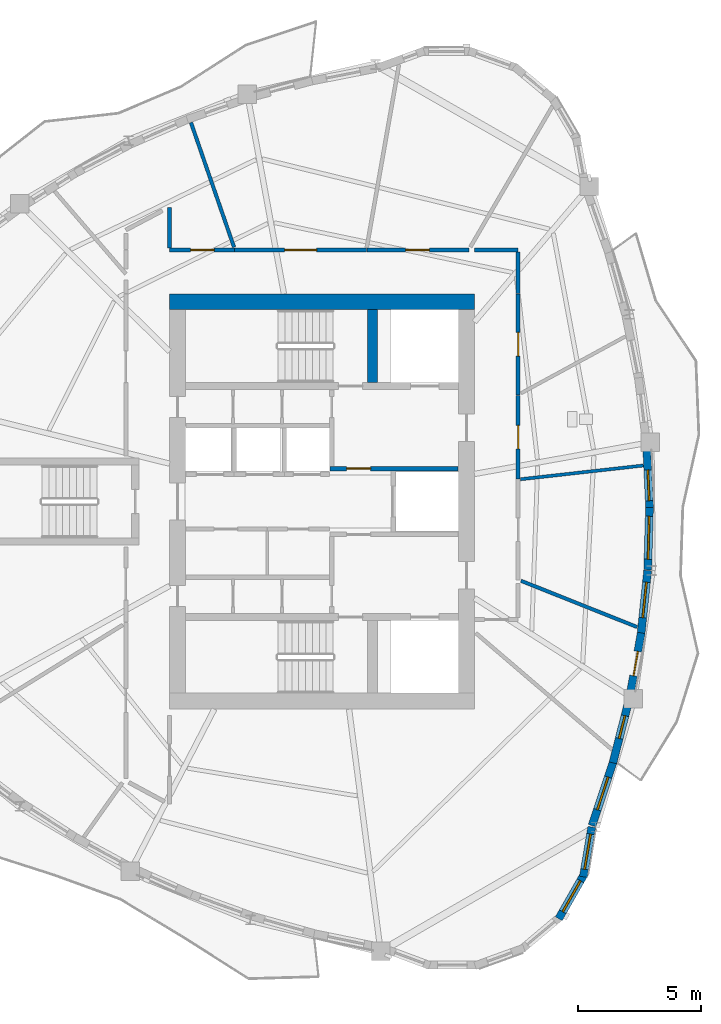
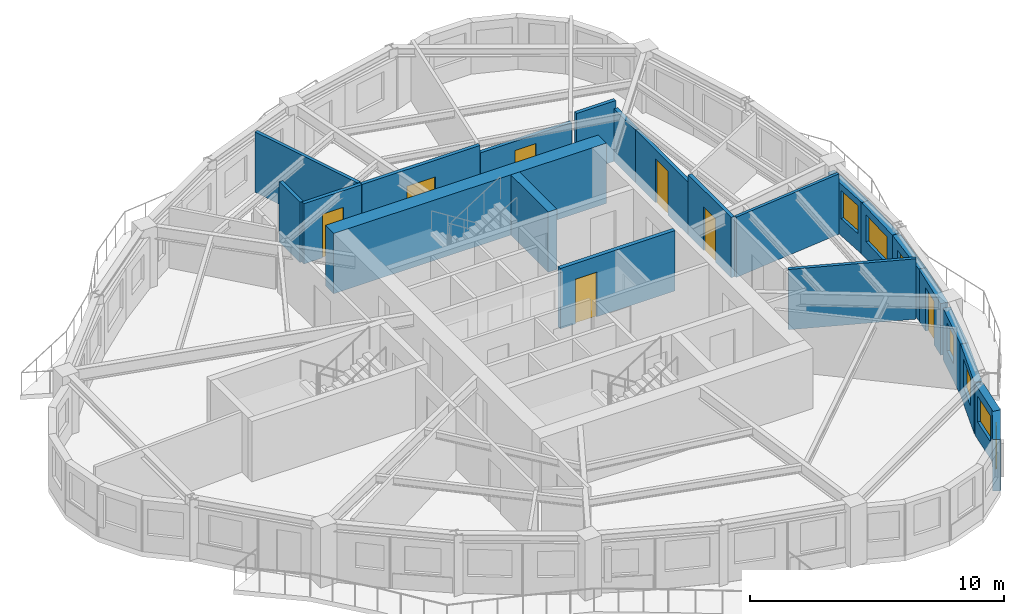
# One storey, part 6 of 12: 22 walls, 7 doors, 7 windows, 14 openings.
"""IFC4 building model written with IfcOpenShell, lengths in metres."""

from ifc_helpers import new_model, si_unit, direction, frame, frame_2d, origin, place, context, subcontext, project, spatial, rectangle, extrude, source, transform, mapped, material, layer, layer_set, type_object, element, fill, save


model = new_model("IFC4")

# Units and contexts
model_context = context("Model", 3, precision=1e-05, world=origin(), true_north=direction((0.0, 1.0)))
body_context = subcontext(model_context, "Body", "Model", "MODEL_VIEW")
ifc_project = project(units=[si_unit("LENGTHUNIT", "METRE"), si_unit("AREAUNIT", "SQUARE_METRE"), si_unit("VOLUMEUNIT", "CUBIC_METRE"), si_unit("PLANEANGLEUNIT", "RADIAN"), si_unit("MASSUNIT", "GRAM", prefix="KILO")], contexts=[model_context])

# Site, building, storey
site_placement = place(None, origin())
site = spatial("IfcSite", under=ifc_project, at=site_placement, CompositionType="ELEMENT")
building_placement = place(site_placement, origin())
building = spatial("IfcBuilding", under=site, at=building_placement, Name="Qafzar Sky-Pleat Residences", CompositionType="ELEMENT")
storey_placement = place(building_placement, frame((0.0, 0.0, 187.39990234375)))
storey = spatial("IfcBuildingStorey", under=building, at=storey_placement, Name="L56", CompositionType="ELEMENT", Elevation=187.39990234375)

# Wall, opening, door
ifc_material_1 = material(Name="Acoustic gypsum plasterboard partition", Category="gypsum")
ifc_layer_1 = layer(ifc_material_1, 0.159912109375)
ifc_layer_set_1 = layer_set([ifc_layer_1], Name="Acoustic gypsum plasterboard partition")
wall_type_1 = type_object("IfcWallType", Name="PART-COR-160", PredefinedType="PARTITIONING", material=ifc_layer_set_1)
wall_1_placement = place(storey_placement, frame((26.7958984375, 36.22998046875, 0.0), z_axis=(0.0, 0.0, 1.0), x_axis=(1.0, 0.0, 0.0)))
wall_1 = element("IfcWall", 1, at=wall_1_placement, inside=storey, type_object=wall_type_1, Name="L56 Partition Wall PART-L56-PW-003", PredefinedType="PARTITIONING", context=body_context, shape_type="SweptSolid", body=[
    extrude(rectangle(XDim=5.37109375, YDim=0.159912109375, at=frame_2d((2.685546875, 0.0))), origin(), (0.0, 0.0, 1.0), 2.900146484375),
])
opening_1_placement = place(wall_1_placement, frame((2.035888671875, 0.0, 0.0)))
opening_1 = element("IfcOpeningElement", 2, at=opening_1_placement, cuts=wall_1, Name="Opening ID-05", PredefinedType="OPENING", context=body_context, shape_type="SweptSolid", body=[
    extrude(rectangle(XDim=1.300048828125, YDim=2.10009765625, at=frame_2d((0.64990234375, 1.050048828125))), frame((0.0, 0.08984375, 0.0), z_axis=(0.0, -1.0, 0.0), x_axis=(1.0, 0.0, 0.0)), (0.0, 0.0, 1.0), 0.179931640625),
])
ifc_material_2 = material(Name="Timber-faced fire door", Category="wood")
door_type_1 = type_object("IfcDoorType", Name="DR-LNG-1300", OperationType="DOUBLE_DOOR_SINGLE_SWING", PredefinedType="DOOR", material=ifc_material_2)
shared_shape_1 = source(origin(), body_context, "Body", "SweptSolid", [
    extrude(rectangle(XDim=1.300048828125, YDim=2.10009765625, at=frame_2d((0.64990234375, 1.050048828125))), frame((0.0, 0.02490234375, 0.0), z_axis=(0.0, -1.0, 0.0), x_axis=(1.0, 0.0, 0.0)), (0.0, 0.0, 1.0), 0.050048828125),
])
door_1_placement = place(opening_1_placement, origin())
door_1 = element("IfcDoor", 3, at=door_1_placement, inside=storey, type_object=door_type_1, Name="L56 Graduate Lecture Room Door", OperationType="DOUBLE_DOOR_SINGLE_SWING", OverallHeight=2.10009765625, OverallWidth=1.300048828125, PredefinedType="DOOR", context=body_context, shape_type="MappedRepresentation", body=[
    mapped(shared_shape_1, transform((0.0, 0.0, 0.0), x_axis=(1.0, 0.0, 0.0), y_axis=(0.0, 1.0, 0.0), z_axis=(0.0, 0.0, 1.0), scale=1.0)),
])
fill(opening_1, door_1)

wall_2_placement = place(storey_placement, frame((32.181884765625, 36.22998046875, 0.0), z_axis=(0.0, 0.0, 1.0), x_axis=(1.0, 0.0, 0.0)))
wall_2 = element("IfcWall", 4, at=wall_2_placement, inside=storey, type_object=wall_type_1, Name="L56 Partition Wall PART-L56-PW-004", PredefinedType="PARTITIONING", context=body_context, shape_type="SweptSolid", body=[
    extrude(rectangle(XDim=4.149169921875, YDim=0.159912109375, at=frame_2d((2.07470703125, 0.0))), origin(), (0.0, 0.0, 1.0), 2.5380859375),
])
opening_2_placement = place(wall_2_placement, frame((1.571044921875, 0.0, 0.0)))
opening_2 = element("IfcOpeningElement", 5, at=opening_2_placement, cuts=wall_2, Name="Opening ID-06", PredefinedType="OPENING", context=body_context, shape_type="SweptSolid", body=[
    extrude(rectangle(XDim=0.9599609375, YDim=2.10009765625, at=frame_2d((0.47998046875, 1.050048828125))), frame((0.0, 0.08984375, 0.0), z_axis=(0.0, -1.0, 0.0), x_axis=(1.0, 0.0, 0.0)), (0.0, 0.0, 1.0), 0.179931640625),
])
door_type_2 = type_object("IfcDoorType", Name="DR-STD-960", OperationType="NOTDEFINED", PredefinedType="DOOR", material=ifc_material_2)
shared_shape_2 = source(origin(), body_context, "Body", "SweptSolid", [
    extrude(rectangle(XDim=0.9599609375, YDim=2.10009765625, at=frame_2d((0.47998046875, 1.050048828125))), frame((0.0, 0.02490234375, 0.0), z_axis=(0.0, -1.0, 0.0), x_axis=(1.0, 0.0, 0.0)), (0.0, 0.0, 1.0), 0.050048828125),
])
door_2_placement = place(opening_2_placement, origin())
door_2 = element("IfcDoor", 6, at=door_2_placement, inside=storey, type_object=door_type_2, Name="L56 Scholar Co-Working Workspace Door", OperationType="SINGLE_SWING_LEFT", OverallHeight=2.10009765625, OverallWidth=0.9599609375, PredefinedType="DOOR", context=body_context, shape_type="MappedRepresentation", body=[
    mapped(shared_shape_2, transform((0.0, 0.0, 0.0), x_axis=(1.0, 0.0, 0.0), y_axis=(0.0, 1.0, 0.0), z_axis=(0.0, 0.0, 1.0), scale=1.0)),
])
fill(opening_2, door_2)

wall_3_placement = place(storey_placement, frame((38.330078125, 34.449951171875, 0.0), z_axis=(0.0, 0.0, 1.0), x_axis=(0.0, -1.0, 0.0)))
wall_3 = element("IfcWall", 7, at=wall_3_placement, inside=storey, type_object=wall_type_1, Name="L56 Partition Wall PART-L56-PW-005", PredefinedType="PARTITIONING", context=body_context, shape_type="SweptSolid", body=[
    extrude(rectangle(XDim=4.1259765625, YDim=0.159912109375, at=frame_2d((2.06298828125, 0.0))), origin(), (0.0, 0.0, 1.0), 2.5380859375),
])
opening_3_placement = place(wall_3_placement, frame((1.574462890625, 0.0, 0.0)))
opening_3 = element("IfcOpeningElement", 8, at=opening_3_placement, cuts=wall_3, Name="Opening ID-06", PredefinedType="OPENING", context=body_context, shape_type="SweptSolid", body=[
    extrude(rectangle(XDim=0.9599609375, YDim=2.10009765625, at=frame_2d((0.47998046875, 1.050048828125))), frame((0.0, 0.08984375, 0.0), z_axis=(0.0, -1.0, 0.0), x_axis=(1.0, 0.0, 0.0)), (0.0, 0.0, 1.0), 0.179931640625),
])
door_3_placement = place(opening_3_placement, origin())
door_3 = element("IfcDoor", 9, at=door_3_placement, inside=storey, type_object=door_type_2, Name="L56 Faculty Research Office Door", OperationType="SINGLE_SWING_RIGHT", OverallHeight=2.10009765625, OverallWidth=0.9599609375, PredefinedType="DOOR", context=body_context, shape_type="MappedRepresentation", body=[
    mapped(shared_shape_2, transform((0.0, 0.0, 0.0), x_axis=(1.0, 0.0, 0.0), y_axis=(0.0, 1.0, 0.0), z_axis=(0.0, 0.0, 1.0), scale=1.0)),
])
fill(opening_3, door_3)

wall_4_placement = place(storey_placement, frame((38.330078125, 30.30908203125, 0.0), z_axis=(0.0, 0.0, 1.0), x_axis=(0.0, -1.0, 0.0)))
wall_4 = element("IfcWall", 10, at=wall_4_placement, inside=storey, type_object=wall_type_1, Name="L56 Partition Wall PART-L56-PW-008", PredefinedType="PARTITIONING", context=body_context, shape_type="SweptSolid", body=[
    extrude(rectangle(XDim=3.385009765625, YDim=0.159912109375, at=frame_2d((1.6923828125, 0.0))), origin(), (0.0, 0.0, 1.0), 2.900146484375),
])
opening_4_placement = place(wall_4_placement, frame((1.216552734375, 0.0, 0.0)))
opening_4 = element("IfcOpeningElement", 11, at=opening_4_placement, cuts=wall_4, Name="Opening ID-08", PredefinedType="OPENING", context=body_context, shape_type="SweptSolid", body=[
    extrude(rectangle(XDim=0.949951171875, YDim=2.10009765625, at=frame_2d((0.47509765625, 1.050048828125))), frame((0.0, 0.08984375, 0.0), z_axis=(0.0, -1.0, 0.0), x_axis=(1.0, 0.0, 0.0)), (0.0, 0.0, 1.0), 0.179931640625),
])
door_type_3 = type_object("IfcDoorType", Name="DR-AWC-950", OperationType="NOTDEFINED", PredefinedType="DOOR", material=ifc_material_2)
shared_shape_3 = source(origin(), body_context, "Body", "SweptSolid", [
    extrude(rectangle(XDim=0.949951171875, YDim=2.10009765625, at=frame_2d((0.47509765625, 1.050048828125))), frame((0.0, 0.02490234375, 0.0), z_axis=(0.0, -1.0, 0.0), x_axis=(1.0, 0.0, 0.0)), (0.0, 0.0, 1.0), 0.050048828125),
])
door_4_placement = place(opening_4_placement, origin())
door_4 = element("IfcDoor", 12, at=door_4_placement, inside=storey, type_object=door_type_3, Name="L56 Accessible Shared Washroom Door", OperationType="SINGLE_SWING_RIGHT", OverallHeight=2.10009765625, OverallWidth=0.949951171875, PredefinedType="DOOR", context=body_context, shape_type="MappedRepresentation", body=[
    mapped(shared_shape_3, transform((0.0, 0.0, 0.0), x_axis=(1.0, 0.0, 0.0), y_axis=(0.0, 1.0, 0.0), z_axis=(0.0, 0.0, 1.0), scale=1.0)),
])
fill(opening_4, door_4)

wall_5_placement = place(storey_placement, frame((24.14990234375, 36.22998046875, 0.0), z_axis=(0.0, 0.0, 1.0), x_axis=(1.0, 0.0, 0.0)))
wall_5 = element("IfcWall", 13, at=wall_5_placement, inside=storey, type_object=wall_type_1, Name="L56 Partition Wall PART-L56-PW-010", PredefinedType="PARTITIONING", context=body_context, shape_type="SweptSolid", body=[
    extrude(rectangle(XDim=2.631103515625, YDim=0.159912109375, at=frame_2d((1.3154296875, 0.0))), origin(), (0.0, 0.0, 1.0), 2.900146484375),
])
opening_5_placement = place(wall_5_placement, frame((0.85107421875, 0.0, 0.0)))
opening_5 = element("IfcOpeningElement", 14, at=opening_5_placement, cuts=wall_5, Name="Opening ID-06", PredefinedType="OPENING", context=body_context, shape_type="SweptSolid", body=[
    extrude(rectangle(XDim=0.9599609375, YDim=2.10009765625, at=frame_2d((0.47998046875, 1.050048828125))), frame((0.0, 0.08984375, 0.0), z_axis=(0.0, -1.0, 0.0), x_axis=(1.0, 0.0, 0.0)), (0.0, 0.0, 1.0), 0.179931640625),
])
door_5_placement = place(opening_5_placement, origin())
door_5 = element("IfcDoor", 15, at=door_5_placement, inside=storey, type_object=door_type_2, Name="L56 Wellness Yoga Studio Door", OperationType="SINGLE_SWING_LEFT", OverallHeight=2.10009765625, OverallWidth=0.9599609375, PredefinedType="DOOR", context=body_context, shape_type="MappedRepresentation", body=[
    mapped(shared_shape_2, transform((0.0, 0.0, 0.0), x_axis=(1.0, 0.0, 0.0), y_axis=(0.0, 1.0, 0.0), z_axis=(0.0, 0.0, 1.0), scale=1.0)),
])
fill(opening_5, door_5)

# Walls
wall_6_placement = place(storey_placement, frame((36.550048828125, 36.22998046875, 0.0), z_axis=(0.0, 0.0, 1.0), x_axis=(1.0, 0.0, 0.0)))
element("IfcWall", 16, at=wall_6_placement, inside=storey, type_object=wall_type_1, Name="L56 Partition Wall PART-L56-PW-024", PredefinedType="PARTITIONING", context=body_context, shape_type="SweptSolid", body=[
    extrude(rectangle(XDim=1.780029296875, YDim=0.159912109375, at=frame_2d((0.89013671875, 0.0))), origin(), (0.0, 0.0, 1.0), 2.900146484375),
])
wall_7_placement = place(storey_placement, frame((38.330078125, 34.465087890625, 0.0), z_axis=(0.0, 0.0, 1.0), x_axis=(0.0, 1.0, 0.0)))
element("IfcWall", 17, at=wall_7_placement, inside=storey, type_object=wall_type_1, Name="L56 Partition Wall PART-L56-PW-025", PredefinedType="PARTITIONING", context=body_context, shape_type="SweptSolid", body=[
    extrude(rectangle(XDim=1.677001953125, YDim=0.159912109375, at=frame_2d((0.83837890625, 0.0))), origin(), (0.0, 0.0, 1.0), 2.5380859375),
])
wall_8_placement = place(storey_placement, frame((24.14990234375, 36.318115234375, 0.0), z_axis=(0.0, 0.0, 1.0), x_axis=(0.0, 1.0, 0.0)))
element("IfcWall", 18, at=wall_8_placement, inside=storey, type_object=wall_type_1, Name="L56 Partition Wall PART-L56-PW-026", PredefinedType="PARTITIONING", context=body_context, shape_type="SweptSolid", body=[
    extrude(rectangle(XDim=1.637939453125, YDim=0.159912109375, at=frame_2d((0.81884765625, 0.0))), origin(), (0.0, 0.0, 1.0), 2.900146484375),
])

# Wall, opening, door
ifc_material_3 = material(Name="Concrete blockwork partition", Category="masonry")
ifc_layer_2 = layer(ifc_material_3, 0.179931640625)
ifc_layer_set_2 = layer_set([ifc_layer_2], Name="Concrete blockwork partition")
wall_type_2 = type_object("IfcWallType", Name="PART-SHAFT-180", PredefinedType="PARTITIONING", material=ifc_layer_set_2)
wall_9_placement = place(storey_placement, frame((30.669921875, 27.340087890625, 0.0), z_axis=(0.0, 0.0, 1.0), x_axis=(1.0, 0.0, 0.0)))
wall_9 = element("IfcWall", 19, at=wall_9_placement, inside=storey, type_object=wall_type_2, Name="L56 Partition Wall PART-L56-FFL2-S", PredefinedType="PARTITIONING", context=body_context, shape_type="SweptSolid", body=[
    extrude(rectangle(XDim=5.219970703125, YDim=0.179931640625, at=frame_2d((2.60986328125, 0.0))), origin(), (0.0, 0.0, 1.0), 2.900146484375),
])
opening_6_placement = place(wall_9_placement, frame((0.679931640625, 0.0, 0.0)))
opening_6 = element("IfcOpeningElement", 20, at=opening_6_placement, cuts=wall_9, Name="Opening ID-01", PredefinedType="OPENING", context=body_context, shape_type="SweptSolid", body=[
    extrude(rectangle(XDim=0.97998046875, YDim=2.14990234375, at=frame_2d((0.489990234375, 1.074951171875))), frame((0.0, 0.10009765625, 0.0), z_axis=(0.0, -1.0, 0.0), x_axis=(1.0, 0.0, 0.0)), (0.0, 0.0, 1.0), 0.199951171875),
])
door_type_4 = type_object("IfcDoorType", Name="DR-STAIR-980", OperationType="NOTDEFINED", PredefinedType="DOOR", material=ifc_material_2)
shared_shape_4 = source(origin(), body_context, "Body", "SweptSolid", [
    extrude(rectangle(XDim=0.97998046875, YDim=2.14990234375, at=frame_2d((0.489990234375, 1.074951171875))), frame((0.0, 0.02490234375, 0.0), z_axis=(0.0, -1.0, 0.0), x_axis=(1.0, 0.0, 0.0)), (0.0, 0.0, 1.0), 0.050048828125),
])
door_6_placement = place(opening_6_placement, origin())
door_6 = element("IfcDoor", 21, at=door_6_placement, inside=storey, type_object=door_type_4, Name="L56 Lift Lobby to North Firefighting Lobby Door", OperationType="SINGLE_SWING_LEFT", OverallHeight=2.14990234375, OverallWidth=0.97998046875, PredefinedType="DOOR", context=body_context, shape_type="MappedRepresentation", body=[
    mapped(shared_shape_4, transform((0.0, 0.0, 0.0), x_axis=(1.0, 0.0, 0.0), y_axis=(0.0, 1.0, 0.0), z_axis=(0.0, 0.0, 1.0), scale=1.0)),
])
fill(opening_6, door_6)

# Walls
ifc_layer_3 = layer(ifc_material_1, 0.14501953125)
ifc_layer_set_3 = layer_set([ifc_layer_3], Name="Acoustic gypsum plasterboard partition")
wall_type_3 = type_object("IfcWallType", Name="PART-UNIT-145", PredefinedType="PARTITIONING", material=ifc_layer_set_3)
wall_10_placement = place(storey_placement, frame((25.0185546875, 41.416015625, 0.0), z_axis=(0.0, 0.0, 1.0), x_axis=(0.326820085254, -0.945086573746, 0.0)))
element("IfcWall", 22, at=wall_10_placement, inside=storey, type_object=wall_type_3, Name="L56 Partition Wall PART-L56-PW-017", PredefinedType="PARTITIONING", context=body_context, shape_type="SweptSolid", body=[
    extrude(rectangle(XDim=5.36962890625, YDim=0.14501953125, at=frame_2d((2.684814453125, 0.0))), origin(), (0.0, 0.0, 1.0), 2.900146484375),
])
wall_11_placement = place(storey_placement, frame((38.4443359375, 22.7744140625, 0.0), z_axis=(0.0, 0.0, 1.0), x_axis=(0.928995588187, -0.37009079579, 0.0)))
element("IfcWall", 23, at=wall_11_placement, inside=storey, type_object=wall_type_3, Name="L56 Partition Wall PART-L56-PW-018", PredefinedType="PARTITIONING", context=body_context, shape_type="SweptSolid", body=[
    extrude(rectangle(XDim=5.08544921875, YDim=0.14501953125, at=frame_2d((2.542724609375, 0.0))), origin(), (0.0, 0.0, 1.0), 2.900146484375),
])
ifc_material_4 = material(Name="Moisture-resistant gypsum partition", Category="gypsum")
ifc_layer_4 = layer(ifc_material_4, 0.1298828125)
ifc_layer_set_4 = layer_set([ifc_layer_4], Name="Moisture-resistant gypsum partition")
wall_type_4 = type_object("IfcWallType", Name="PART-WET-130", PredefinedType="PARTITIONING", material=ifc_layer_set_4)
wall_12_placement = place(storey_placement, frame((38.42529296875, 26.904541015625, 0.0), z_axis=(0.0, 0.0, 1.0), x_axis=(0.993793959726, 0.111236530025, 0.0)))
element("IfcWall", 24, at=wall_12_placement, inside=storey, type_object=wall_type_4, Name="L56 Partition Wall PART-L56-PW-019", PredefinedType="PARTITIONING", context=body_context, shape_type="SweptSolid", body=[
    extrude(rectangle(XDim=5.026123046875, YDim=0.1298828125, at=frame_2d((2.51318359375, 0.0))), origin(), (0.0, 0.0, 1.0), 2.900146484375),
])

# Wall, opening, window
ifc_material_5 = material(Name="Precast concrete C40/50 with honed Riyadh limestone", Category="concrete")
ifc_layer_5 = layer(ifc_material_5, 0.320068359375)
ifc_layer_set_5 = layer_set([ifc_layer_5], Name="Precast concrete C40/50 with honed Riyadh limestone")
wall_type_5 = type_object("IfcWallType", Name="WALL-EXT-320", PredefinedType="SOLIDWALL", material=ifc_layer_set_5)
wall_13_placement = place(storey_placement, frame((39.980224609375, 9.025390625, 0.0), z_axis=(0.0, 0.0, 1.0), x_axis=(0.495714993308, 0.868485259178, 0.0)))
wall_13 = element("IfcWall", 25, at=wall_13_placement, inside=storey, type_object=wall_type_5, Name="L56 Limestone Facade Wall 21", PredefinedType="SOLIDWALL", context=body_context, shape_type="SweptSolid", body=[
    extrude(rectangle(XDim=2.10888671875, YDim=0.320068359375, at=frame_2d((1.054443359375, 0.0))), origin(), (0.0, 0.0, 1.0), 2.47998046875),
])
opening_7_placement = place(wall_13_placement, frame((0.329345703125, 0.0, 0.820068359375)))
opening_7 = element("IfcOpeningElement", 26, at=opening_7_placement, cuts=wall_13, Name="Opening WN-15", PredefinedType="OPENING", context=body_context, shape_type="SweptSolid", body=[
    extrude(rectangle(XDim=1.449951171875, YDim=1.25, at=frame_2d((0.72509765625, 0.625))), frame((0.0, 0.169921875, 0.0), z_axis=(0.0, -1.0, 0.0), x_axis=(1.0, 0.0, 0.0)), (0.0, 0.0, 1.0), 0.340087890625),
])
ifc_material_6 = material(Name="Solar-control low-E glass in bronze aluminium frame", Category="glass")
window_type_1 = type_object("IfcWindowType", Name="WIN-15", PartitioningType="SINGLE_PANEL", PredefinedType="WINDOW", material=ifc_material_6)
shared_shape_5 = source(origin(), body_context, "Body", "SweptSolid", [
    extrude(rectangle(XDim=1.449951171875, YDim=1.25, at=frame_2d((0.72509765625, 0.625))), frame((0.0, 0.030029296875, 0.0), z_axis=(0.0, -1.0, 0.0), x_axis=(1.0, 0.0, 0.0)), (0.0, 0.0, 1.0), 0.06005859375),
])
window_1_placement = place(opening_7_placement, origin())
window_1 = element("IfcWindow", 27, at=window_1_placement, inside=storey, type_object=window_type_1, Name="L56 Punched Facade Window 21", OverallHeight=1.25, OverallWidth=1.449951171875, PartitioningType="SINGLE_PANEL", PredefinedType="WINDOW", context=body_context, shape_type="MappedRepresentation", body=[
    mapped(shared_shape_5, transform((0.0, 0.0, 0.0), x_axis=(1.0, 0.0, 0.0), y_axis=(0.0, 1.0, 0.0), z_axis=(0.0, 0.0, 1.0), scale=1.0)),
])
fill(opening_7, window_1)

wall_14_placement = place(storey_placement, frame((40.981689453125, 10.733642578125, 0.0), z_axis=(0.0, 0.0, 1.0), x_axis=(0.165711561454, 0.986174263708, 0.0)))
wall_14 = element("IfcWall", 28, at=wall_14_placement, inside=storey, type_object=wall_type_5, Name="L56 Limestone Facade Wall 22", PredefinedType="SOLIDWALL", context=body_context, shape_type="SweptSolid", body=[
    extrude(rectangle(XDim=2.05078125, YDim=0.320068359375, at=frame_2d((1.025390625, 0.0))), origin(), (0.0, 0.0, 1.0), 2.47998046875),
])
opening_8_placement = place(wall_14_placement, frame((0.310302734375, 0.0, 0.820068359375)))
opening_8 = element("IfcOpeningElement", 29, at=opening_8_placement, cuts=wall_14, Name="Opening WN-15", PredefinedType="OPENING", context=body_context, shape_type="SweptSolid", body=[
    extrude(rectangle(XDim=1.449951171875, YDim=1.25, at=frame_2d((0.72509765625, 0.625))), frame((0.0, 0.169921875, 0.0), z_axis=(0.0, -1.0, 0.0), x_axis=(1.0, 0.0, 0.0)), (0.0, 0.0, 1.0), 0.340087890625),
])
window_2_placement = place(opening_8_placement, origin())
window_2 = element("IfcWindow", 30, at=window_2_placement, inside=storey, type_object=window_type_1, Name="L56 Punched Facade Window 22", OverallHeight=1.25, OverallWidth=1.449951171875, PartitioningType="SINGLE_PANEL", PredefinedType="WINDOW", context=body_context, shape_type="MappedRepresentation", body=[
    mapped(shared_shape_5, transform((0.0, 0.0, 0.0), x_axis=(1.0, 0.0, 0.0), y_axis=(0.0, 1.0, 0.0), z_axis=(0.0, 0.0, 1.0), scale=1.0)),
])
fill(opening_8, window_2)

wall_15_placement = place(storey_placement, frame((41.3369140625, 12.818603515625, 0.0), z_axis=(0.0, 0.0, 1.0), x_axis=(0.31443095402, 0.949280345922, 0.0)))
wall_15 = element("IfcWall", 31, at=wall_15_placement, inside=storey, type_object=wall_type_5, Name="L56 Limestone Facade Wall 23", PredefinedType="SOLIDWALL", context=body_context, shape_type="SweptSolid", body=[
    extrude(rectangle(XDim=2.772705078125, YDim=0.320068359375, at=frame_2d((1.38623046875, 0.0))), origin(), (0.0, 0.0, 1.0), 2.47998046875),
])
opening_9_placement = place(wall_15_placement, frame((0.67626953125, 0.0, 0.820068359375)))
opening_9 = element("IfcOpeningElement", 32, at=opening_9_placement, cuts=wall_15, Name="Opening WN-10", PredefinedType="OPENING", context=body_context, shape_type="SweptSolid", body=[
    extrude(rectangle(XDim=1.39990234375, YDim=1.35009765625, at=frame_2d((0.699951171875, 0.675048828125))), frame((0.0, 0.169921875, 0.0), z_axis=(0.0, -1.0, 0.0), x_axis=(1.0, 0.0, 0.0)), (0.0, 0.0, 1.0), 0.340087890625),
])
window_type_2 = type_object("IfcWindowType", Name="WIN-10", PartitioningType="SINGLE_PANEL", PredefinedType="WINDOW", material=ifc_material_6)
shared_shape_6 = source(origin(), body_context, "Body", "SweptSolid", [
    extrude(rectangle(XDim=1.39990234375, YDim=1.35009765625, at=frame_2d((0.699951171875, 0.675048828125))), frame((0.0, 0.030029296875, 0.0), z_axis=(0.0, -1.0, 0.0), x_axis=(1.0, 0.0, 0.0)), (0.0, 0.0, 1.0), 0.06005859375),
])
window_3_placement = place(opening_9_placement, origin())
window_3 = element("IfcWindow", 33, at=window_3_placement, inside=storey, type_object=window_type_2, Name="L56 Punched Facade Window 23", OverallHeight=1.35009765625, OverallWidth=1.39990234375, PartitioningType="SINGLE_PANEL", PredefinedType="WINDOW", context=body_context, shape_type="MappedRepresentation", body=[
    mapped(shared_shape_6, transform((0.0, 0.0, 0.0), x_axis=(1.0, 0.0, 0.0), y_axis=(0.0, 1.0, 0.0), z_axis=(0.0, 0.0, 1.0), scale=1.0)),
])
fill(opening_9, window_3)

wall_16_placement = place(storey_placement, frame((42.18408203125, 15.3671875, 0.0), z_axis=(0.0, 0.0, 1.0), x_axis=(0.247650778908, 0.968849364817, 0.0)))
wall_16 = element("IfcWall", 34, at=wall_16_placement, inside=storey, type_object=wall_type_5, Name="L56 Limestone Facade Wall 24", PredefinedType="SOLIDWALL", context=body_context, shape_type="SweptSolid", body=[
    extrude(rectangle(XDim=2.570068359375, YDim=0.320068359375, at=frame_2d((1.28515625, 0.0))), origin(), (0.0, 0.0, 1.0), 2.47998046875),
])
opening_10_placement = place(wall_16_placement, frame((1.02783203125, 0.0, 0.820068359375)))
opening_10 = element("IfcOpeningElement", 35, at=opening_10_placement, cuts=wall_16, Name="Opening WN-12", PredefinedType="OPENING", context=body_context, shape_type="SweptSolid", body=[
    extrude(rectangle(XDim=0.949951171875, YDim=1.35009765625, at=frame_2d((0.47509765625, 0.675048828125))), frame((0.0, 0.169921875, 0.0), z_axis=(0.0, -1.0, 0.0), x_axis=(1.0, 0.0, 0.0)), (0.0, 0.0, 1.0), 0.340087890625),
])
window_type_3 = type_object("IfcWindowType", Name="WIN-12", PartitioningType="SINGLE_PANEL", PredefinedType="WINDOW", material=ifc_material_6)
shared_shape_7 = source(origin(), body_context, "Body", "SweptSolid", [
    extrude(rectangle(XDim=0.949951171875, YDim=1.35009765625, at=frame_2d((0.47509765625, 0.675048828125))), frame((0.0, 0.030029296875, 0.0), z_axis=(0.0, -1.0, 0.0), x_axis=(1.0, 0.0, 0.0)), (0.0, 0.0, 1.0), 0.06005859375),
])
window_4_placement = place(opening_10_placement, origin())
window_4 = element("IfcWindow", 36, at=window_4_placement, inside=storey, type_object=window_type_3, Name="L56 Punched Facade Window 24-2", OverallHeight=1.35009765625, OverallWidth=0.949951171875, PartitioningType="SINGLE_PANEL", PredefinedType="WINDOW", context=body_context, shape_type="MappedRepresentation", body=[
    mapped(shared_shape_7, transform((0.0, 0.0, 0.0), x_axis=(1.0, 0.0, 0.0), y_axis=(0.0, 1.0, 0.0), z_axis=(0.0, 0.0, 1.0), scale=1.0)),
])
fill(opening_10, window_4)

# Wall, opening, door
wall_17_placement = place(storey_placement, frame((42.88818359375, 18.168212890625, 0.0), z_axis=(0.0, 0.0, 1.0), x_axis=(0.177158615295, 0.984182312901, 0.0)))
wall_17 = element("IfcWall", 37, at=wall_17_placement, inside=storey, type_object=wall_type_5, Name="L56 Limestone Facade Wall 25", PredefinedType="SOLIDWALL", context=body_context, shape_type="SweptSolid", body=[
    extrude(rectangle(XDim=2.526123046875, YDim=0.320068359375, at=frame_2d((1.26318359375, 0.0))), origin(), (0.0, 0.0, 1.0), 2.47998046875),
])
opening_11_placement = place(wall_17_placement, frame((0.758056640625, 0.0, 0.0)))
opening_11 = element("IfcOpeningElement", 38, at=opening_11_placement, cuts=wall_17, Name="Opening ED-05", PredefinedType="OPENING", context=body_context, shape_type="SweptSolid", body=[
    extrude(rectangle(XDim=1.0, YDim=2.10009765625, at=frame_2d((0.5, 1.050048828125))), frame((0.0, 0.169921875, 0.0), z_axis=(0.0, -1.0, 0.0), x_axis=(1.0, 0.0, 0.0)), (0.0, 0.0, 1.0), 0.340087890625),
])
ifc_material_7 = material(Name="Glazed bronze aluminium door", Category="aluminium")
door_type_5 = type_object("IfcDoorType", Name="DR-BAL-1000", OperationType="NOTDEFINED", PredefinedType="DOOR", material=ifc_material_7)
shared_shape_8 = source(origin(), body_context, "Body", "SweptSolid", [
    extrude(rectangle(XDim=1.0, YDim=2.10009765625, at=frame_2d((0.5, 1.050048828125))), frame((0.0, 0.02490234375, 0.0), z_axis=(0.0, -1.0, 0.0), x_axis=(1.0, 0.0, 0.0)), (0.0, 0.0, 1.0), 0.050048828125),
])
door_7_placement = place(opening_11_placement, origin())
door_7 = element("IfcDoor", 39, at=door_7_placement, inside=storey, type_object=door_type_5, Name="L56 Glazed Balcony Door 1", OperationType="SINGLE_SWING_RIGHT", OverallHeight=2.10009765625, OverallWidth=1.0, PredefinedType="DOOR", context=body_context, shape_type="MappedRepresentation", body=[
    mapped(shared_shape_8, transform((0.0, 0.0, 0.0), x_axis=(1.0, 0.0, 0.0), y_axis=(0.0, 1.0, 0.0), z_axis=(0.0, 0.0, 1.0), scale=1.0)),
])
fill(opening_11, door_7)

# Wall, opening, window
wall_18_placement = place(storey_placement, frame((43.3232421875, 20.5673828125, 0.0), z_axis=(0.0, 0.0, 1.0), x_axis=(0.10362132496, 0.9946168212, 0.0)))
wall_18 = element("IfcWall", 40, at=wall_18_placement, inside=storey, type_object=wall_type_5, Name="L56 Limestone Facade Wall 26", PredefinedType="SOLIDWALL", context=body_context, shape_type="SweptSolid", body=[
    extrude(rectangle(XDim=2.64111328125, YDim=0.320068359375, at=frame_2d((1.320556640625, 0.0))), origin(), (0.0, 0.0, 1.0), 2.47998046875),
])
opening_12_placement = place(wall_18_placement, frame((0.714111328125, 0.0, 0.820068359375)))
opening_12 = element("IfcOpeningElement", 41, at=opening_12_placement, cuts=wall_18, Name="Opening WN-15", PredefinedType="OPENING", context=body_context, shape_type="SweptSolid", body=[
    extrude(rectangle(XDim=1.449951171875, YDim=1.25, at=frame_2d((0.72509765625, 0.625))), frame((0.0, 0.169921875, 0.0), z_axis=(0.0, -1.0, 0.0), x_axis=(1.0, 0.0, 0.0)), (0.0, 0.0, 1.0), 0.340087890625),
])
window_5_placement = place(opening_12_placement, origin())
window_5 = element("IfcWindow", 42, at=window_5_placement, inside=storey, type_object=window_type_1, Name="L56 Punched Facade Window 26", OverallHeight=1.25, OverallWidth=1.449951171875, PartitioningType="SINGLE_PANEL", PredefinedType="WINDOW", context=body_context, shape_type="MappedRepresentation", body=[
    mapped(shared_shape_5, transform((0.0, 0.0, 0.0), x_axis=(1.0, 0.0, 0.0), y_axis=(0.0, 1.0, 0.0), z_axis=(0.0, 0.0, 1.0), scale=1.0)),
])
fill(opening_12, window_5)

wall_19_placement = place(storey_placement, frame((43.598876953125, 23.22216796875, 0.0), z_axis=(0.0, 0.0, 1.0), x_axis=(0.028259888897, 0.999600609583, 0.0)))
wall_19 = element("IfcWall", 43, at=wall_19_placement, inside=storey, type_object=wall_type_5, Name="L56 Limestone Facade Wall 27", PredefinedType="SOLIDWALL", context=body_context, shape_type="SweptSolid", body=[
    extrude(rectangle(XDim=2.626220703125, YDim=0.320068359375, at=frame_2d((1.31298828125, 0.0))), origin(), (0.0, 0.0, 1.0), 2.47998046875),
])
opening_13_placement = place(wall_19_placement, frame((0.42822265625, 0.0, 0.820068359375)))
opening_13 = element("IfcOpeningElement", 44, at=opening_13_placement, cuts=wall_19, Name="Opening WN-14", PredefinedType="OPENING", context=body_context, shape_type="SweptSolid", body=[
    extrude(rectangle(XDim=1.75, YDim=1.300048828125, at=frame_2d((0.875, 0.64990234375))), frame((0.0, 0.169921875, 0.0), z_axis=(0.0, -1.0, 0.0), x_axis=(1.0, 0.0, 0.0)), (0.0, 0.0, 1.0), 0.340087890625),
])
window_type_4 = type_object("IfcWindowType", Name="WIN-14", PartitioningType="DOUBLE_PANEL_VERTICAL", PredefinedType="WINDOW", material=ifc_material_6)
shared_shape_9 = source(origin(), body_context, "Body", "SweptSolid", [
    extrude(rectangle(XDim=1.75, YDim=1.300048828125, at=frame_2d((0.875, 0.64990234375))), frame((0.0, 0.030029296875, 0.0), z_axis=(0.0, -1.0, 0.0), x_axis=(1.0, 0.0, 0.0)), (0.0, 0.0, 1.0), 0.06005859375),
])
window_6_placement = place(opening_13_placement, origin())
window_6 = element("IfcWindow", 45, at=window_6_placement, inside=storey, type_object=window_type_4, Name="L56 Punched Facade Window 27", OverallHeight=1.300048828125, OverallWidth=1.75, PartitioningType="SINGLE_PANEL", PredefinedType="WINDOW", context=body_context, shape_type="MappedRepresentation", body=[
    mapped(shared_shape_9, transform((0.0, 0.0, 0.0), x_axis=(1.0, 0.0, 0.0), y_axis=(0.0, 1.0, 0.0), z_axis=(0.0, 0.0, 1.0), scale=1.0)),
])
fill(opening_13, window_6)

wall_20_placement = place(storey_placement, frame((43.673828125, 25.759521484375, 0.0), z_axis=(0.0, 0.0, 1.0), x_axis=(-0.047621245569, 0.9988654649, 0.0)))
wall_20 = element("IfcWall", 46, at=wall_20_placement, inside=storey, type_object=wall_type_5, Name="L56 Limestone Facade Wall 28", PredefinedType="SOLIDWALL", context=body_context, shape_type="SweptSolid", body=[
    extrude(rectangle(XDim=2.4814453125, YDim=0.320068359375, at=frame_2d((1.24072265625, 0.0))), origin(), (0.0, 0.0, 1.0), 2.47998046875),
])
opening_14_placement = place(wall_20_placement, frame((0.27294921875, 0.0, 0.820068359375)))
opening_14 = element("IfcOpeningElement", 47, at=opening_14_placement, cuts=wall_20, Name="Opening WN-11", PredefinedType="OPENING", context=body_context, shape_type="SweptSolid", body=[
    extrude(rectangle(XDim=1.25, YDim=1.35009765625, at=frame_2d((0.625, 0.675048828125))), frame((0.0, 0.169921875, 0.0), z_axis=(0.0, -1.0, 0.0), x_axis=(1.0, 0.0, 0.0)), (0.0, 0.0, 1.0), 0.340087890625),
])
window_type_5 = type_object("IfcWindowType", Name="WIN-11", PartitioningType="SINGLE_PANEL", PredefinedType="WINDOW", material=ifc_material_6)
shared_shape_10 = source(origin(), body_context, "Body", "SweptSolid", [
    extrude(rectangle(XDim=1.25, YDim=1.35009765625, at=frame_2d((0.625, 0.675048828125))), frame((0.0, 0.030029296875, 0.0), z_axis=(0.0, -1.0, 0.0), x_axis=(1.0, 0.0, 0.0)), (0.0, 0.0, 1.0), 0.06005859375),
])
window_7_placement = place(opening_14_placement, origin())
window_7 = element("IfcWindow", 48, at=window_7_placement, inside=storey, type_object=window_type_5, Name="L56 Punched Facade Window 28", OverallHeight=1.35009765625, OverallWidth=1.25, PartitioningType="SINGLE_PANEL", PredefinedType="WINDOW", context=body_context, shape_type="MappedRepresentation", body=[
    mapped(shared_shape_10, transform((0.0, 0.0, 0.0), x_axis=(1.0, 0.0, 0.0), y_axis=(0.0, 1.0, 0.0), z_axis=(0.0, 0.0, 1.0), scale=1.0)),
])
fill(opening_14, window_7)

# Walls
ifc_material_8 = material(Name="Concrete C60/75", Category="concrete")
ifc_layer_6 = layer(ifc_material_8, 0.39990234375)
ifc_layer_set_6 = layer_set([ifc_layer_6], Name="Concrete C60/75")
wall_type_6 = type_object("IfcWallType", Name="WALL-SHEAR-400", PredefinedType="SHEAR", material=ifc_layer_set_6)
wall_21_placement = place(storey_placement, frame((32.39990234375, 30.85009765625, 0.0), z_axis=(0.0, 0.0, 1.0), x_axis=(0.0, 1.0, 0.0)))
element("IfcWall", 49, at=wall_21_placement, inside=storey, type_object=wall_type_6, Name="L56 Stair ST2 East Dividing Wall", PredefinedType="SHEAR", context=body_context, shape_type="SweptSolid", body=[
    extrude(rectangle(XDim=2.949951171875, YDim=0.39990234375, at=frame_2d((1.47509765625, 0.0))), origin(), (0.0, 0.0, 1.0), 2.900146484375),
])
ifc_layer_7 = layer(ifc_material_8, 0.64990234375)
ifc_layer_set_7 = layer_set([ifc_layer_7], Name="Concrete C60/75")
wall_type_7 = type_object("IfcWallType", Name="WALL-SHEAR-650", PredefinedType="SHEAR", material=ifc_layer_set_7)
wall_22_placement = place(storey_placement, frame((36.550048828125, 34.125, 0.0), z_axis=(0.0, 0.0, 1.0), x_axis=(-1.0, 0.0, 0.0)))
element("IfcWall", 50, at=wall_22_placement, inside=storey, type_object=wall_type_7, Name="L56 CORE wall N", PredefinedType="SHEAR", context=body_context, shape_type="SweptSolid", body=[
    extrude(rectangle(XDim=12.400146484375, YDim=0.64990234375, at=frame_2d((6.2001953125, 0.0))), origin(), (0.0, 0.0, 1.0), 2.900146484375),
])

save(model, "model.ifc")
